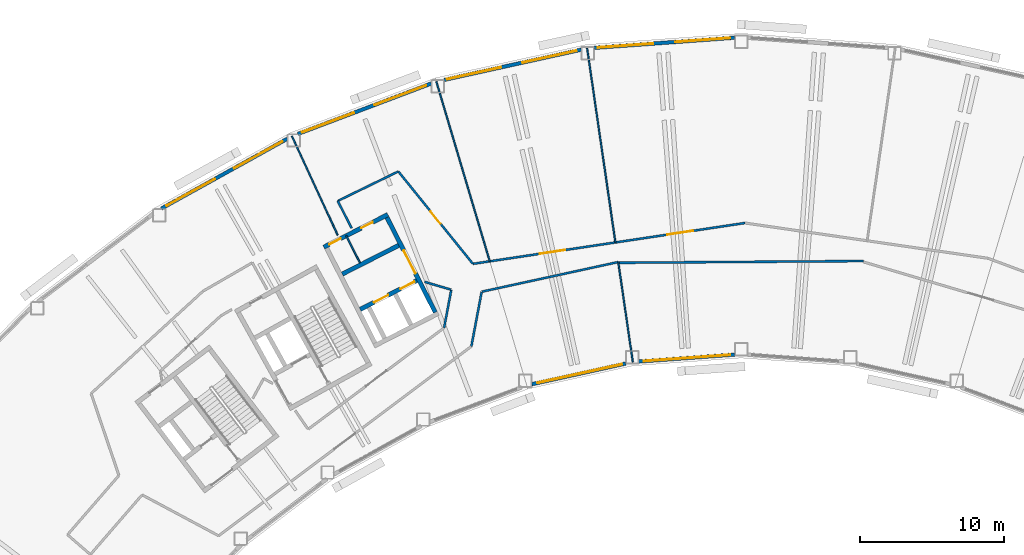
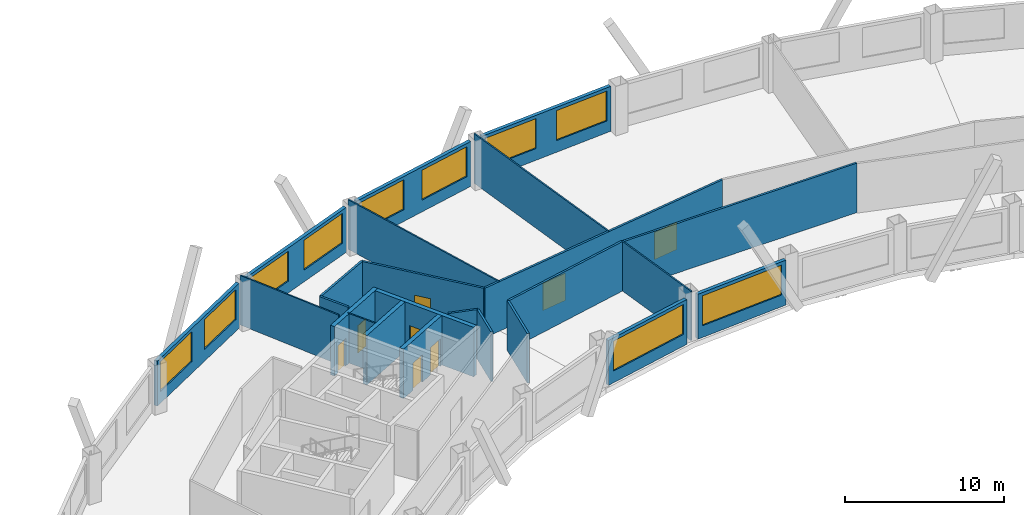
# One storey, part 6 of 12: 24 walls, 10 windows, 8 doors, 18 openings.
"""IFC4 building model written with IfcOpenShell, lengths in metres."""

from ifc_helpers import new_model, si_unit, direction, frame, frame_2d, origin, place, context, subcontext, project, spatial, rectangle, extrude, material, layer, layer_set, type_object, element, fill, save


model = new_model("IFC4")

# Units and contexts
model_context = context("Model", 3, precision=1e-05, world=origin(), true_north=direction((0.0, 1.0)))
body_context = subcontext(model_context, "Body", "Model", "MODEL_VIEW")
ifc_project = project(units=[si_unit("LENGTHUNIT", "METRE"), si_unit("AREAUNIT", "SQUARE_METRE"), si_unit("VOLUMEUNIT", "CUBIC_METRE"), si_unit("PLANEANGLEUNIT", "RADIAN"), si_unit("MASSUNIT", "GRAM", prefix="KILO")], contexts=[model_context])

# Site, building, storey
site_placement = place(None, origin())
site = spatial("IfcSite", under=ifc_project, at=site_placement, CompositionType="ELEMENT")
building_placement = place(site_placement, origin())
building = spatial("IfcBuilding", under=site, at=building_placement, Name="Tuul Gate Civic Tower", CompositionType="ELEMENT")
storey_placement = place(building_placement, frame((0.0, 0.0, 172.10009765625)))
storey = spatial("IfcBuildingStorey", under=building, at=storey_placement, Name="Level 39", CompositionType="ELEMENT", Elevation=172.10009765625)

# Wall, openings, doors
ifc_material_1 = material(Name="Gypsum board partition")
ifc_layer_1 = layer(ifc_material_1, 0.14990234375)
ifc_layer_set_1 = layer_set([ifc_layer_1], Name="Gypsum board partition")
wall_type_1 = type_object("IfcWallType", Name="Corridor wall P150", PredefinedType="PARTITIONING", material=ifc_layer_set_1)
wall_1_placement = place(storey_placement, frame((-17.62841796875, -1.7958984375, 0.0), z_axis=(0.0, 0.0, 1.0), x_axis=(0.988920591433, 0.148445491138, 0.0)))
wall_1 = element("IfcWall", 1, at=wall_1_placement, inside=storey, type_object=wall_type_1, Name="p019", PredefinedType="PARTITIONING", context=body_context, shape_type="SweptSolid", body=[
    extrude(rectangle(XDim=19.094482421875, YDim=0.14990234375, at=frame_2d((9.54736328125, 0.0))), origin(), (0.0, 0.0, 1.0), 3.7998046875),
])
opening_1_placement = place(wall_1_placement, frame((13.644775390625, 0.0, 0.0)))
opening_1 = element("IfcOpeningElement", 2, at=opening_1_placement, cuts=wall_1, Name="Opening N-D04", PredefinedType="OPENING", context=body_context, shape_type="SweptSolid", body=[
    extrude(rectangle(XDim=1.800048828125, YDim=2.10009765625, at=frame_2d((0.89990234375, 1.050048828125))), frame((0.0, 0.0849609375, 0.0), z_axis=(0.0, -1.0, 0.0), x_axis=(1.0, 0.0, 0.0)), (0.0, 0.0, 1.0), 0.169921875),
])
opening_2_placement = place(wall_1_placement, frame((4.685302734375, 0.0, 0.0)))
opening_2 = element("IfcOpeningElement", 3, at=opening_2_placement, cuts=wall_1, Name="Opening N-D05", PredefinedType="OPENING", context=body_context, shape_type="SweptSolid", body=[
    extrude(rectangle(XDim=1.800048828125, YDim=2.10009765625, at=frame_2d((0.89990234375, 1.050048828125))), frame((0.0, 0.0849609375, 0.0), z_axis=(0.0, -1.0, 0.0), x_axis=(1.0, 0.0, 0.0)), (0.0, 0.0, 1.0), 0.169921875),
])
ifc_material_2 = material(Name="Timber door leaf, double", Category="wood")
door_type_1 = type_object("IfcDoorType", Name="Door D18", OperationType="DOUBLE_DOOR_SINGLE_SWING", PredefinedType="DOOR", material=ifc_material_2)
door_1_placement = place(opening_1_placement, origin())
door_1 = element("IfcDoor", 4, at=door_1_placement, inside=storey, type_object=door_type_1, Name="Door N-D04", OperationType="DOUBLE_DOOR_SINGLE_SWING", OverallHeight=2.10009765625, OverallWidth=1.800048828125, PredefinedType="DOOR", context=body_context, shape_type="SweptSolid", body=[
    extrude(rectangle(XDim=1.800048828125, YDim=2.10009765625, at=frame_2d((0.89990234375, 1.050048828125))), frame((0.0, 0.02490234375, 0.0), z_axis=(0.0, -1.0, 0.0), x_axis=(1.0, 0.0, 0.0)), (0.0, 0.0, 1.0), 0.050048828125),
])
fill(opening_1, door_1)
door_2_placement = place(opening_2_placement, origin())
door_2 = element("IfcDoor", 5, at=door_2_placement, inside=storey, type_object=door_type_1, Name="Door N-D05", OperationType="DOUBLE_DOOR_SINGLE_SWING", OverallHeight=2.10009765625, OverallWidth=1.800048828125, PredefinedType="DOOR", context=body_context, shape_type="SweptSolid", body=[
    extrude(rectangle(XDim=1.800048828125, YDim=2.10009765625, at=frame_2d((0.89990234375, 1.050048828125))), frame((0.0, 0.02490234375, 0.0), z_axis=(0.0, -1.0, 0.0), x_axis=(1.0, 0.0, 0.0)), (0.0, 0.0, 1.0), 0.050048828125),
])
fill(opening_2, door_2)

# Wall
wall_2_placement = place(storey_placement, frame((-7.50390625, -1.724365234375, 0.0), z_axis=(0.0, 0.0, 1.0), x_axis=(0.999974995686, 0.007071633673, 0.0)))
element("IfcWall", 6, at=wall_2_placement, inside=storey, type_object=wall_type_1, Name="p022", PredefinedType="PARTITIONING", context=body_context, shape_type="SweptSolid", body=[
    extrude(rectangle(XDim=16.98583984375, YDim=0.14990234375, at=frame_2d((8.492919921875, 0.0))), origin(), (0.0, 0.0, 1.0), 3.7998046875),
])

# Wall, opening, door
wall_3_placement = place(storey_placement, frame((-22.818115234375, 4.618408203125, 0.0), z_axis=(0.0, 0.0, 1.0), x_axis=(0.628081012435, -0.778147956252, 0.0)))
wall_3 = element("IfcWall", 7, at=wall_3_placement, inside=storey, type_object=wall_type_1, Name="p023", PredefinedType="PARTITIONING", context=body_context, shape_type="SweptSolid", body=[
    extrude(rectangle(XDim=8.233642578125, YDim=0.14990234375, at=frame_2d((4.11669921875, 0.0))), origin(), (0.0, 0.0, 1.0), 3.7998046875),
])
opening_3_placement = place(wall_3_placement, frame((3.56689453125, 0.0, 0.0)))
opening_3 = element("IfcOpeningElement", 8, at=opening_3_placement, cuts=wall_3, Name="Opening N-D06", PredefinedType="OPENING", context=body_context, shape_type="SweptSolid", body=[
    extrude(rectangle(XDim=1.10009765625, YDim=2.10009765625, at=frame_2d((0.550048828125, 1.050048828125))), frame((0.0, 0.0849609375, 0.0), z_axis=(0.0, -1.0, 0.0), x_axis=(1.0, 0.0, 0.0)), (0.0, 0.0, 1.0), 0.169921875),
])
ifc_material_3 = material(Name="Timber door leaf", Category="wood")
door_type_2 = type_object("IfcDoorType", Name="Door D11", OperationType="NOTDEFINED", PredefinedType="DOOR", material=ifc_material_3)
door_3_placement = place(opening_3_placement, origin())
door_3 = element("IfcDoor", 9, at=door_3_placement, inside=storey, type_object=door_type_2, Name="Door N-D06", OperationType="SINGLE_SWING_RIGHT", OverallHeight=2.10009765625, OverallWidth=1.10009765625, PredefinedType="DOOR", context=body_context, shape_type="SweptSolid", body=[
    extrude(rectangle(XDim=1.10009765625, YDim=2.10009765625, at=frame_2d((0.550048828125, 1.050048828125))), frame((0.0, 0.02490234375, 0.0), z_axis=(0.0, -1.0, 0.0), x_axis=(1.0, 0.0, 0.0)), (0.0, 0.0, 1.0), 0.050048828125),
])
fill(opening_3, door_3)

# Walls
wall_4_placement = place(storey_placement, frame((-27.026123046875, 2.569580078125, 0.0), z_axis=(0.0, 0.0, 1.0), x_axis=(0.899042531126, 0.437861310494, 0.0)))
element("IfcWall", 10, at=wall_4_placement, inside=storey, type_object=wall_type_1, Name="p024", PredefinedType="PARTITIONING", context=body_context, shape_type="SweptSolid", body=[
    extrude(rectangle(XDim=4.6796875, YDim=0.14990234375, at=frame_2d((2.33984375, 0.0))), origin(), (0.0, 0.0, 1.0), 3.7998046875),
])
wall_5_placement = place(storey_placement, frame((-27.0263671875, 2.56884765625, 0.0), z_axis=(0.0, 0.0, 1.0), x_axis=(0.454024199229, -0.890989352638, 0.0)))
element("IfcWall", 11, at=wall_5_placement, inside=storey, type_object=wall_type_1, Name="p025", PredefinedType="PARTITIONING", context=body_context, shape_type="SweptSolid", body=[
    extrude(rectangle(XDim=2.1181640625, YDim=0.14990234375, at=frame_2d((1.05908203125, 0.0))), origin(), (0.0, 0.0, 1.0), 3.7998046875),
])
wall_6_placement = place(storey_placement, frame((-20.991943359375, -3.051513671875, 0.0), z_axis=(0.0, 0.0, 1.0), x_axis=(0.959507772574, -0.281682151315, 0.0)))
element("IfcWall", 12, at=wall_6_placement, inside=storey, type_object=wall_type_1, Name="p027", PredefinedType="PARTITIONING", context=body_context, shape_type="SweptSolid", body=[
    extrude(rectangle(XDim=1.9111328125, YDim=0.14990234375, at=frame_2d((0.95556640625, 0.0))), origin(), (0.0, 0.0, 1.0), 3.7998046875),
])
wall_7_placement = place(storey_placement, frame((-19.64013671875, -6.236572265625, 0.0), z_axis=(0.0, 0.0, 1.0), x_axis=(0.185784311732, 0.982590550287, 0.0)))
element("IfcWall", 13, at=wall_7_placement, inside=storey, type_object=wall_type_1, Name="p028", PredefinedType="PARTITIONING", context=body_context, shape_type="SweptSolid", body=[
    extrude(rectangle(XDim=2.670166015625, YDim=0.14990234375, at=frame_2d((1.3349609375, 0.0))), origin(), (0.0, 0.0, 1.0), 3.7998046875),
])
wall_8_placement = place(storey_placement, frame((-17.74658203125, -7.526123046875, 0.0), z_axis=(0.0, 0.0, 1.0), x_axis=(0.185717767459, 0.98260312988, 0.0)))
element("IfcWall", 14, at=wall_8_placement, inside=storey, type_object=wall_type_1, Name="p045", PredefinedType="PARTITIONING", context=body_context, shape_type="SweptSolid", body=[
    extrude(rectangle(XDim=3.846435546875, YDim=0.14990234375, at=frame_2d((1.92333984375, 0.0))), origin(), (0.0, 0.0, 1.0), 3.7998046875),
])
wall_9_placement = place(storey_placement, frame((-17.016845703125, -3.730712890625, 0.0), z_axis=(0.0, 0.0, 1.0), x_axis=(0.97717886456, 0.212418141074, 0.0)))
element("IfcWall", 15, at=wall_9_placement, inside=storey, type_object=wall_type_1, Name="p046", PredefinedType="PARTITIONING", context=body_context, shape_type="SweptSolid", body=[
    extrude(rectangle(XDim=9.6923828125, YDim=0.14990234375, at=frame_2d((4.84619140625, 0.0))), origin(), (0.0, 0.0, 1.0), 3.7998046875),
])

# Wall, openings, windows
ifc_material_4 = material(Name="Precast concrete C40/50", Category="concrete")
ifc_layer_2 = layer(ifc_material_4, 0.25)
ifc_layer_set_2 = layer_set([ifc_layer_2], Name="Precast concrete C40/50")
wall_type_2 = type_object("IfcWallType", Name="External wall", PredefinedType="STANDARD", material=ifc_layer_set_2)
wall_10_placement = place(storey_placement, frame((0.5400390625, 13.9091796875, 0.0), z_axis=(0.0, 0.0, 1.0), x_axis=(-0.997386439479, -0.072251576758, 0.0)))
wall_10 = element("IfcWall", 16, at=wall_10_placement, inside=storey, type_object=wall_type_2, Name="External wall", PredefinedType="STANDARD", context=body_context, shape_type="SweptSolid", body=[
    extrude(rectangle(XDim=9.775634765625, YDim=0.25, at=frame_2d((4.8876953125, 0.0))), origin(), (0.0, 0.0, 1.0), 3.449951171875),
])
opening_4_placement = place(wall_10_placement, frame((0.300537109375, 0.0, 0.89990234375)))
opening_4 = element("IfcOpeningElement", 17, at=opening_4_placement, cuts=wall_10, Name="Opening W22", PredefinedType="OPENING", context=body_context, shape_type="SweptSolid", body=[
    extrude(rectangle(XDim=3.85009765625, YDim=2.300048828125, at=frame_2d((1.925048828125, 1.14990234375))), frame((0.0, 0.135009765625, 0.0), z_axis=(0.0, -1.0, 0.0), x_axis=(1.0, 0.0, 0.0)), (0.0, 0.0, 1.0), 0.27001953125),
])
opening_5_placement = place(wall_10_placement, frame((5.672119140625, 0.0, 0.89990234375)))
opening_5 = element("IfcOpeningElement", 18, at=opening_5_placement, cuts=wall_10, Name="Opening W22", PredefinedType="OPENING", context=body_context, shape_type="SweptSolid", body=[
    extrude(rectangle(XDim=3.85009765625, YDim=2.300048828125, at=frame_2d((1.925048828125, 1.14990234375))), frame((0.0, 0.135009765625, 0.0), z_axis=(0.0, -1.0, 0.0), x_axis=(1.0, 0.0, 0.0)), (0.0, 0.0, 1.0), 0.27001953125),
])
ifc_material_5 = material(Name="Glass", Category="glass")
window_type_1 = type_object("IfcWindowType", Name="Window W22 3850 x 2300", PartitioningType="SINGLE_PANEL", PredefinedType="WINDOW", material=ifc_material_5)
window_1_placement = place(opening_4_placement, origin())
window_1 = element("IfcWindow", 19, at=window_1_placement, inside=storey, type_object=window_type_1, Name="Window", OverallHeight=2.300048828125, OverallWidth=3.85009765625, PartitioningType="SINGLE_PANEL", PredefinedType="WINDOW", context=body_context, shape_type="SweptSolid", body=[
    extrude(rectangle(XDim=3.85009765625, YDim=2.300048828125, at=frame_2d((1.925048828125, 1.14990234375))), frame((0.0, 0.030029296875, 0.0), z_axis=(0.0, -1.0, 0.0), x_axis=(1.0, 0.0, 0.0)), (0.0, 0.0, 1.0), 0.06005859375),
])
fill(opening_4, window_1)
window_2_placement = place(opening_5_placement, origin())
window_2 = element("IfcWindow", 20, at=window_2_placement, inside=storey, type_object=window_type_1, Name="Window", OverallHeight=2.300048828125, OverallWidth=3.85009765625, PartitioningType="SINGLE_PANEL", PredefinedType="WINDOW", context=body_context, shape_type="SweptSolid", body=[
    extrude(rectangle(XDim=3.85009765625, YDim=2.300048828125, at=frame_2d((1.925048828125, 1.14990234375))), frame((0.0, 0.030029296875, 0.0), z_axis=(0.0, -1.0, 0.0), x_axis=(1.0, 0.0, 0.0)), (0.0, 0.0, 1.0), 0.06005859375),
])
fill(opening_5, window_2)

wall_11_placement = place(storey_placement, frame((-10.110107421875, 13.078125, 0.0), z_axis=(0.0, 0.0, 1.0), x_axis=(-0.976559525993, -0.215247513789, 0.0)))
wall_11 = element("IfcWall", 21, at=wall_11_placement, inside=storey, type_object=wall_type_2, Name="External wall", PredefinedType="STANDARD", context=body_context, shape_type="SweptSolid", body=[
    extrude(rectangle(XDim=9.755615234375, YDim=0.25, at=frame_2d((4.8779296875, 0.0))), origin(), (0.0, 0.0, 1.0), 3.449951171875),
])
opening_6_placement = place(wall_11_placement, frame((0.338623046875, 0.0, 0.89990234375)))
opening_6 = element("IfcOpeningElement", 22, at=opening_6_placement, cuts=wall_11, Name="Opening W22", PredefinedType="OPENING", context=body_context, shape_type="SweptSolid", body=[
    extrude(rectangle(XDim=3.85009765625, YDim=2.300048828125, at=frame_2d((1.925048828125, 1.14990234375))), frame((0.0, 0.135009765625, 0.0), z_axis=(0.0, -1.0, 0.0), x_axis=(1.0, 0.0, 0.0)), (0.0, 0.0, 1.0), 0.27001953125),
])
opening_7_placement = place(wall_11_placement, frame((5.70947265625, 0.0, 0.89990234375)))
opening_7 = element("IfcOpeningElement", 23, at=opening_7_placement, cuts=wall_11, Name="Opening W22", PredefinedType="OPENING", context=body_context, shape_type="SweptSolid", body=[
    extrude(rectangle(XDim=3.85009765625, YDim=2.300048828125, at=frame_2d((1.925048828125, 1.14990234375))), frame((0.0, 0.135009765625, 0.0), z_axis=(0.0, -1.0, 0.0), x_axis=(1.0, 0.0, 0.0)), (0.0, 0.0, 1.0), 0.27001953125),
])
window_3_placement = place(opening_6_placement, origin())
window_3 = element("IfcWindow", 24, at=window_3_placement, inside=storey, type_object=window_type_1, Name="Window", OverallHeight=2.300048828125, OverallWidth=3.85009765625, PartitioningType="SINGLE_PANEL", PredefinedType="WINDOW", context=body_context, shape_type="SweptSolid", body=[
    extrude(rectangle(XDim=3.85009765625, YDim=2.300048828125, at=frame_2d((1.925048828125, 1.14990234375))), frame((0.0, 0.030029296875, 0.0), z_axis=(0.0, -1.0, 0.0), x_axis=(1.0, 0.0, 0.0)), (0.0, 0.0, 1.0), 0.06005859375),
])
fill(opening_6, window_3)
window_4_placement = place(opening_7_placement, origin())
window_4 = element("IfcWindow", 25, at=window_4_placement, inside=storey, type_object=window_type_1, Name="Window", OverallHeight=2.300048828125, OverallWidth=3.85009765625, PartitioningType="SINGLE_PANEL", PredefinedType="WINDOW", context=body_context, shape_type="SweptSolid", body=[
    extrude(rectangle(XDim=3.85009765625, YDim=2.300048828125, at=frame_2d((1.925048828125, 1.14990234375))), frame((0.0, 0.030029296875, 0.0), z_axis=(0.0, -1.0, 0.0), x_axis=(1.0, 0.0, 0.0)), (0.0, 0.0, 1.0), 0.06005859375),
])
fill(opening_7, window_4)

wall_12_placement = place(storey_placement, frame((-20.537109375, 10.7236328125, 0.0), z_axis=(0.0, 0.0, 1.0), x_axis=(-0.935342915264, -0.353742322694, 0.0)))
wall_12 = element("IfcWall", 26, at=wall_12_placement, inside=storey, type_object=wall_type_2, Name="External wall", PredefinedType="STANDARD", context=body_context, shape_type="SweptSolid", body=[
    extrude(rectangle(XDim=9.904541015625, YDim=0.25, at=frame_2d((4.9521484375, 0.0))), origin(), (0.0, 0.0, 1.0), 3.449951171875),
])
opening_8_placement = place(wall_12_placement, frame((0.369140625, 0.0, 0.89990234375)))
opening_8 = element("IfcOpeningElement", 27, at=opening_8_placement, cuts=wall_12, Name="Opening W22", PredefinedType="OPENING", context=body_context, shape_type="SweptSolid", body=[
    extrude(rectangle(XDim=3.85009765625, YDim=2.300048828125, at=frame_2d((1.925048828125, 1.14990234375))), frame((0.0, 0.135009765625, 0.0), z_axis=(0.0, -1.0, 0.0), x_axis=(1.0, 0.0, 0.0)), (0.0, 0.0, 1.0), 0.27001953125),
])
opening_9_placement = place(wall_12_placement, frame((5.740478515625, 0.0, 0.89990234375)))
opening_9 = element("IfcOpeningElement", 28, at=opening_9_placement, cuts=wall_12, Name="Opening W22", PredefinedType="OPENING", context=body_context, shape_type="SweptSolid", body=[
    extrude(rectangle(XDim=3.85009765625, YDim=2.300048828125, at=frame_2d((1.925048828125, 1.14990234375))), frame((0.0, 0.135009765625, 0.0), z_axis=(0.0, -1.0, 0.0), x_axis=(1.0, 0.0, 0.0)), (0.0, 0.0, 1.0), 0.27001953125),
])
window_5_placement = place(opening_8_placement, origin())
window_5 = element("IfcWindow", 29, at=window_5_placement, inside=storey, type_object=window_type_1, Name="Window", OverallHeight=2.300048828125, OverallWidth=3.85009765625, PartitioningType="SINGLE_PANEL", PredefinedType="WINDOW", context=body_context, shape_type="SweptSolid", body=[
    extrude(rectangle(XDim=3.85009765625, YDim=2.300048828125, at=frame_2d((1.925048828125, 1.14990234375))), frame((0.0, 0.030029296875, 0.0), z_axis=(0.0, -1.0, 0.0), x_axis=(1.0, 0.0, 0.0)), (0.0, 0.0, 1.0), 0.06005859375),
])
fill(opening_8, window_5)
window_6_placement = place(opening_9_placement, origin())
window_6 = element("IfcWindow", 30, at=window_6_placement, inside=storey, type_object=window_type_1, Name="Window", OverallHeight=2.300048828125, OverallWidth=3.85009765625, PartitioningType="SINGLE_PANEL", PredefinedType="WINDOW", context=body_context, shape_type="SweptSolid", body=[
    extrude(rectangle(XDim=3.85009765625, YDim=2.300048828125, at=frame_2d((1.925048828125, 1.14990234375))), frame((0.0, 0.030029296875, 0.0), z_axis=(0.0, -1.0, 0.0), x_axis=(1.0, 0.0, 0.0)), (0.0, 0.0, 1.0), 0.06005859375),
])
fill(opening_9, window_6)

wall_13_placement = place(storey_placement, frame((-30.52392578125, 6.891357421875, 0.0), z_axis=(0.0, 0.0, 1.0), x_axis=(-0.874633566806, -0.484784615903, 0.0)))
wall_13 = element("IfcWall", 31, at=wall_13_placement, inside=storey, type_object=wall_type_2, Name="External wall", PredefinedType="STANDARD", context=body_context, shape_type="SweptSolid", body=[
    extrude(rectangle(XDim=10.001220703125, YDim=0.25, at=frame_2d((5.00048828125, 0.0))), origin(), (0.0, 0.0, 1.0), 3.449951171875),
])
opening_10_placement = place(wall_13_placement, frame((0.39306640625, 0.0, 0.89990234375)))
opening_10 = element("IfcOpeningElement", 32, at=opening_10_placement, cuts=wall_13, Name="Opening W22", PredefinedType="OPENING", context=body_context, shape_type="SweptSolid", body=[
    extrude(rectangle(XDim=3.85009765625, YDim=2.300048828125, at=frame_2d((1.925048828125, 1.14990234375))), frame((0.0, 0.135009765625, 0.0), z_axis=(0.0, -1.0, 0.0), x_axis=(1.0, 0.0, 0.0)), (0.0, 0.0, 1.0), 0.27001953125),
])
opening_11_placement = place(wall_13_placement, frame((5.764404296875, 0.0, 0.89990234375)))
opening_11 = element("IfcOpeningElement", 33, at=opening_11_placement, cuts=wall_13, Name="Opening W22", PredefinedType="OPENING", context=body_context, shape_type="SweptSolid", body=[
    extrude(rectangle(XDim=3.85009765625, YDim=2.300048828125, at=frame_2d((1.925048828125, 1.14990234375))), frame((0.0, 0.135009765625, 0.0), z_axis=(0.0, -1.0, 0.0), x_axis=(1.0, 0.0, 0.0)), (0.0, 0.0, 1.0), 0.27001953125),
])
window_7_placement = place(opening_10_placement, origin())
window_7 = element("IfcWindow", 34, at=window_7_placement, inside=storey, type_object=window_type_1, Name="Window", OverallHeight=2.300048828125, OverallWidth=3.85009765625, PartitioningType="SINGLE_PANEL", PredefinedType="WINDOW", context=body_context, shape_type="SweptSolid", body=[
    extrude(rectangle(XDim=3.85009765625, YDim=2.300048828125, at=frame_2d((1.925048828125, 1.14990234375))), frame((0.0, 0.030029296875, 0.0), z_axis=(0.0, -1.0, 0.0), x_axis=(1.0, 0.0, 0.0)), (0.0, 0.0, 1.0), 0.06005859375),
])
fill(opening_10, window_7)
window_8_placement = place(opening_11_placement, origin())
window_8 = element("IfcWindow", 35, at=window_8_placement, inside=storey, type_object=window_type_1, Name="Window", OverallHeight=2.300048828125, OverallWidth=3.85009765625, PartitioningType="SINGLE_PANEL", PredefinedType="WINDOW", context=body_context, shape_type="SweptSolid", body=[
    extrude(rectangle(XDim=3.85009765625, YDim=2.300048828125, at=frame_2d((1.925048828125, 1.14990234375))), frame((0.0, 0.030029296875, 0.0), z_axis=(0.0, -1.0, 0.0), x_axis=(1.0, 0.0, 0.0)), (0.0, 0.0, 1.0), 0.06005859375),
])
fill(opening_11, window_8)

# Wall, opening, window
wall_14_placement = place(storey_placement, frame((-13.5458984375, -10.15625, 0.0), z_axis=(0.0, 0.0, 1.0), x_axis=(0.976558520258, 0.21525207667, 0.0)))
wall_14 = element("IfcWall", 36, at=wall_14_placement, inside=storey, type_object=wall_type_2, Name="External wall", PredefinedType="STANDARD", context=body_context, shape_type="SweptSolid", body=[
    extrude(rectangle(XDim=6.670166015625, YDim=0.25, at=frame_2d((3.3349609375, 0.0))), origin(), (0.0, 0.0, 1.0), 3.449951171875),
])
opening_12_placement = place(wall_14_placement, frame((0.406982421875, 0.0, 0.89990234375)))
opening_12 = element("IfcOpeningElement", 37, at=opening_12_placement, cuts=wall_14, Name="Opening W26", PredefinedType="OPENING", context=body_context, shape_type="SweptSolid", body=[
    extrude(rectangle(XDim=6.0, YDim=2.300048828125, at=frame_2d((3.0, 1.14990234375))), frame((0.0, 0.135009765625, 0.0), z_axis=(0.0, -1.0, 0.0), x_axis=(1.0, 0.0, 0.0)), (0.0, 0.0, 1.0), 0.27001953125),
])
ifc_material_6 = material(Name="Glass", Category="glass")
window_type_2 = type_object("IfcWindowType", Name="Window W26 6000 x 2300", PartitioningType="SINGLE_PANEL", PredefinedType="WINDOW", material=ifc_material_6)
window_9_placement = place(opening_12_placement, origin())
window_9 = element("IfcWindow", 38, at=window_9_placement, inside=storey, type_object=window_type_2, Name="Window", OverallHeight=2.300048828125, OverallWidth=6.0, PartitioningType="SINGLE_PANEL", PredefinedType="WINDOW", context=body_context, shape_type="SweptSolid", body=[
    extrude(rectangle(XDim=6.0, YDim=2.300048828125, at=frame_2d((3.0, 1.14990234375))), frame((0.0, 0.030029296875, 0.0), z_axis=(0.0, -1.0, 0.0), x_axis=(1.0, 0.0, 0.0)), (0.0, 0.0, 1.0), 0.06005859375),
])
fill(opening_12, window_9)

wall_15_placement = place(storey_placement, frame((-6.132080078125, -8.581787109375, 0.0), z_axis=(0.0, 0.0, 1.0), x_axis=(0.99738574908, 0.072261106633, 0.0)))
wall_15 = element("IfcWall", 39, at=wall_15_placement, inside=storey, type_object=wall_type_2, Name="External wall", PredefinedType="STANDARD", context=body_context, shape_type="SweptSolid", body=[
    extrude(rectangle(XDim=6.689697265625, YDim=0.25, at=frame_2d((3.3447265625, 0.0))), origin(), (0.0, 0.0, 1.0), 3.449951171875),
])
opening_13_placement = place(wall_15_placement, frame((0.3681640625, 0.0, 0.89990234375)))
opening_13 = element("IfcOpeningElement", 40, at=opening_13_placement, cuts=wall_15, Name="Opening W26", PredefinedType="OPENING", context=body_context, shape_type="SweptSolid", body=[
    extrude(rectangle(XDim=6.0, YDim=2.300048828125, at=frame_2d((3.0, 1.14990234375))), frame((0.0, 0.135009765625, 0.0), z_axis=(0.0, -1.0, 0.0), x_axis=(1.0, 0.0, 0.0)), (0.0, 0.0, 1.0), 0.27001953125),
])
window_10_placement = place(opening_13_placement, origin())
window_10 = element("IfcWindow", 41, at=window_10_placement, inside=storey, type_object=window_type_2, Name="Window", OverallHeight=2.300048828125, OverallWidth=6.0, PartitioningType="SINGLE_PANEL", PredefinedType="WINDOW", context=body_context, shape_type="SweptSolid", body=[
    extrude(rectangle(XDim=6.0, YDim=2.300048828125, at=frame_2d((3.0, 1.14990234375))), frame((0.0, 0.030029296875, 0.0), z_axis=(0.0, -1.0, 0.0), x_axis=(1.0, 0.0, 0.0)), (0.0, 0.0, 1.0), 0.06005859375),
])
fill(opening_13, window_10)

# Wall, openings, doors
ifc_material_7 = material(Name="Concrete C40/50", Category="concrete")
ifc_layer_3 = layer(ifc_material_7, 0.300048828125)
ifc_layer_set_3 = layer_set([ifc_layer_3], Name="Concrete C40/50")
wall_type_3 = type_object("IfcWallType", Name="Lift shaft wall C40/50", PredefinedType="STANDARD", material=ifc_layer_set_3)
wall_16_placement = place(storey_placement, frame((-21.542236328125, -2.962890625, 0.0), z_axis=(0.0, 0.0, 1.0), x_axis=(-0.891005618941, -0.453992276384, 0.0)))
wall_16 = element("IfcWall", 42, at=wall_16_placement, inside=storey, type_object=wall_type_3, Name="Shaft wall", PredefinedType="STANDARD", context=body_context, shape_type="SweptSolid", body=[
    extrude(rectangle(XDim=4.39990234375, YDim=0.300048828125, at=frame_2d((2.199951171875, 0.0))), origin(), (0.0, 0.0, 1.0), 3.7998046875),
])
opening_14_placement = place(wall_16_placement, frame((0.175048828125, 0.0, 0.0)))
opening_14 = element("IfcOpeningElement", 43, at=opening_14_placement, cuts=wall_16, Name="Opening LD-M1", PredefinedType="OPENING", context=body_context, shape_type="SweptSolid", body=[
    extrude(rectangle(XDim=1.10009765625, YDim=2.10009765625, at=frame_2d((0.550048828125, 1.050048828125))), frame((0.0, 0.16015625, 0.0), z_axis=(0.0, -1.0, 0.0), x_axis=(1.0, 0.0, 0.0)), (0.0, 0.0, 1.0), 0.320068359375),
])
opening_15_placement = place(wall_16_placement, frame((2.22509765625, 0.0, 0.0)))
opening_15 = element("IfcOpeningElement", 44, at=opening_15_placement, cuts=wall_16, Name="Opening LD-M2", PredefinedType="OPENING", context=body_context, shape_type="SweptSolid", body=[
    extrude(rectangle(XDim=1.10009765625, YDim=2.10009765625, at=frame_2d((0.550048828125, 1.050048828125))), frame((0.0, 0.16015625, 0.0), z_axis=(0.0, -1.0, 0.0), x_axis=(1.0, 0.0, 0.0)), (0.0, 0.0, 1.0), 0.320068359375),
])
ifc_material_8 = material(Name="Stainless steel", Category="steel")
door_type_3 = type_object("IfcDoorType", Name="Landing door", OperationType="DOUBLE_DOOR_SLIDING", PredefinedType="DOOR", material=ifc_material_8)
door_4_placement = place(opening_14_placement, origin())
door_4 = element("IfcDoor", 45, at=door_4_placement, inside=storey, type_object=door_type_3, Name="Mid-rise lift M1 landing door", OperationType="DOUBLE_DOOR_SLIDING", OverallHeight=2.10009765625, OverallWidth=1.10009765625, PredefinedType="DOOR", context=body_context, shape_type="SweptSolid", body=[
    extrude(rectangle(XDim=1.10009765625, YDim=2.10009765625, at=frame_2d((0.550048828125, 1.050048828125))), frame((0.0, 0.02490234375, 0.0), z_axis=(0.0, -1.0, 0.0), x_axis=(1.0, 0.0, 0.0)), (0.0, 0.0, 1.0), 0.050048828125),
])
fill(opening_14, door_4)
door_5_placement = place(opening_15_placement, origin())
door_5 = element("IfcDoor", 46, at=door_5_placement, inside=storey, type_object=door_type_3, Name="Mid-rise lift M2 landing door", OperationType="DOUBLE_DOOR_SLIDING", OverallHeight=2.10009765625, OverallWidth=1.10009765625, PredefinedType="DOOR", context=body_context, shape_type="SweptSolid", body=[
    extrude(rectangle(XDim=1.10009765625, YDim=2.10009765625, at=frame_2d((0.550048828125, 1.050048828125))), frame((0.0, 0.02490234375, 0.0), z_axis=(0.0, -1.0, 0.0), x_axis=(1.0, 0.0, 0.0)), (0.0, 0.0, 1.0), 0.050048828125),
])
fill(opening_15, door_5)

# Wall
wall_17_placement = place(storey_placement, frame((-22.790771484375, -0.5126953125, 0.0), z_axis=(0.0, 0.0, 1.0), x_axis=(-0.891005618941, -0.453992276384, 0.0)))
element("IfcWall", 47, at=wall_17_placement, inside=storey, type_object=wall_type_3, Name="Shaft wall", PredefinedType="STANDARD", context=body_context, shape_type="SweptSolid", body=[
    extrude(rectangle(XDim=4.39990234375, YDim=0.300048828125, at=frame_2d((2.199951171875, 0.0))), origin(), (0.0, 0.0, 1.0), 3.7998046875),
])

# Wall, openings, doors
wall_18_placement = place(storey_placement, frame((-23.544921875, 1.62841796875, 0.0), z_axis=(0.0, 0.0, 1.0), x_axis=(-0.891002976909, -0.453997461601, 0.0)))
wall_18 = element("IfcWall", 48, at=wall_18_placement, inside=storey, type_object=wall_type_3, Name="Shaft wall", PredefinedType="STANDARD", context=body_context, shape_type="SweptSolid", body=[
    extrude(rectangle(XDim=5.0, YDim=0.300048828125, at=frame_2d((2.5, 0.0))), origin(), (0.0, 0.0, 1.0), 3.7998046875),
])
opening_16_placement = place(wall_18_placement, frame((1.175048828125, 0.0, 0.0)))
opening_16 = element("IfcOpeningElement", 49, at=opening_16_placement, cuts=wall_18, Name="Opening N-D19", PredefinedType="OPENING", context=body_context, shape_type="SweptSolid", body=[
    extrude(rectangle(XDim=0.89990234375, YDim=2.10009765625, at=frame_2d((0.449951171875, 1.050048828125))), frame((0.0, 0.16015625, 0.0), z_axis=(0.0, -1.0, 0.0), x_axis=(1.0, 0.0, 0.0)), (0.0, 0.0, 1.0), 0.320068359375),
])
opening_17_placement = place(wall_18_placement, frame((3.675048828125, 0.0, 0.0)))
opening_17 = element("IfcOpeningElement", 50, at=opening_17_placement, cuts=wall_18, Name="Opening N-D20", PredefinedType="OPENING", context=body_context, shape_type="SweptSolid", body=[
    extrude(rectangle(XDim=0.89990234375, YDim=2.10009765625, at=frame_2d((0.449951171875, 1.050048828125))), frame((0.0, 0.16015625, 0.0), z_axis=(0.0, -1.0, 0.0), x_axis=(1.0, 0.0, 0.0)), (0.0, 0.0, 1.0), 0.320068359375),
])
ifc_material_9 = material(Name="Timber door leaf", Category="wood")
door_type_4 = type_object("IfcDoorType", Name="Door D09", OperationType="NOTDEFINED", PredefinedType="DOOR", material=ifc_material_9)
door_6_placement = place(opening_16_placement, origin())
door_6 = element("IfcDoor", 51, at=door_6_placement, inside=storey, type_object=door_type_4, Name="Door N-D19", OperationType="SINGLE_SWING_RIGHT", OverallHeight=2.10009765625, OverallWidth=0.89990234375, PredefinedType="DOOR", context=body_context, shape_type="SweptSolid", body=[
    extrude(rectangle(XDim=0.89990234375, YDim=2.10009765625, at=frame_2d((0.449951171875, 1.050048828125))), frame((0.0, 0.02490234375, 0.0), z_axis=(0.0, -1.0, 0.0), x_axis=(1.0, 0.0, 0.0)), (0.0, 0.0, 1.0), 0.050048828125),
])
fill(opening_16, door_6)
door_7_placement = place(opening_17_placement, origin())
door_7 = element("IfcDoor", 52, at=door_7_placement, inside=storey, type_object=door_type_4, Name="Door N-D20", OperationType="SINGLE_SWING_LEFT", OverallHeight=2.10009765625, OverallWidth=0.89990234375, PredefinedType="DOOR", context=body_context, shape_type="SweptSolid", body=[
    extrude(rectangle(XDim=0.89990234375, YDim=2.10009765625, at=frame_2d((0.449951171875, 1.050048828125))), frame((0.0, 0.02490234375, 0.0), z_axis=(0.0, -1.0, 0.0), x_axis=(1.0, 0.0, 0.0)), (0.0, 0.0, 1.0), 0.050048828125),
])
fill(opening_17, door_7)

# Wall, opening, door
wall_19_placement = place(storey_placement, frame((-20.2509765625, -5.166748046875, 0.0), z_axis=(0.0, 0.0, 1.0), x_axis=(-0.45401029361, 0.89099643843, 0.0)))
wall_19 = element("IfcWall", 53, at=wall_19_placement, inside=storey, type_object=wall_type_3, Name="Shaft wall", PredefinedType="STANDARD", context=body_context, shape_type="SweptSolid", body=[
    extrude(rectangle(XDim=7.39990234375, YDim=0.300048828125, at=frame_2d((3.699951171875, 0.0))), origin(), (0.0, 0.0, 1.0), 3.7998046875),
])
opening_18_placement = place(wall_19_placement, frame((3.02490234375, 0.0, 0.0)))
opening_18 = element("IfcOpeningElement", 54, at=opening_18_placement, cuts=wall_19, Name="Opening LB-W3-LOBBY-1", PredefinedType="OPENING", context=body_context, shape_type="SweptSolid", body=[
    extrude(rectangle(XDim=1.800048828125, YDim=2.10009765625, at=frame_2d((0.89990234375, 1.050048828125))), frame((0.0, 0.16015625, 0.0), z_axis=(0.0, -1.0, 0.0), x_axis=(1.0, 0.0, 0.0)), (0.0, 0.0, 1.0), 0.320068359375),
])
ifc_material_10 = material(Name="Steel", Category="steel")
door_type_5 = type_object("IfcDoorType", Name="Lobby door", OperationType="DOUBLE_DOOR_SINGLE_SWING", PredefinedType="DOOR", material=ifc_material_10)
door_8_placement = place(opening_18_placement, origin())
door_8 = element("IfcDoor", 55, at=door_8_placement, inside=storey, type_object=door_type_5, Name="Lobby door W3-LOBBY", OperationType="DOUBLE_DOOR_SINGLE_SWING", OverallHeight=2.10009765625, OverallWidth=1.800048828125, PredefinedType="DOOR", context=body_context, shape_type="SweptSolid", body=[
    extrude(rectangle(XDim=1.800048828125, YDim=2.10009765625, at=frame_2d((0.89990234375, 1.050048828125))), frame((0.0, 0.02490234375, 0.0), z_axis=(0.0, -1.0, 0.0), x_axis=(1.0, 0.0, 0.0)), (0.0, 0.0, 1.0), 0.050048828125),
])
fill(opening_18, door_8)

# Walls
ifc_material_11 = material(Name="Gypsum board partition")
ifc_layer_4 = layer(ifc_material_11, 0.10009765625)
ifc_layer_set_4 = layer_set([ifc_layer_4], Name="Gypsum board partition")
wall_type_4 = type_object("IfcWallType", Name="Partition P100", PredefinedType="PARTITIONING", material=ifc_layer_set_4)
wall_20_placement = place(storey_placement, frame((-9.707275390625, 13.172119140625, 0.0), z_axis=(0.0, 0.0, 1.0), x_axis=(0.144104772181, -0.989562435946, 0.0)))
element("IfcWall", 56, at=wall_20_placement, inside=storey, type_object=wall_type_4, Name="p017", PredefinedType="PARTITIONING", context=body_context, shape_type="SweptSolid", body=[
    extrude(rectangle(XDim=13.62646484375, YDim=0.10009765625, at=frame_2d((6.813232421875, 0.0))), origin(), (0.0, 0.0, 1.0), 3.7998046875),
])
wall_21_placement = place(storey_placement, frame((-7.545654296875, -1.671875, 0.0), z_axis=(0.0, 0.0, 1.0), x_axis=(0.144138688161, -0.989557496346, 0.0)))
element("IfcWall", 57, at=wall_21_placement, inside=storey, type_object=wall_type_4, Name="p018", PredefinedType="PARTITIONING", context=body_context, shape_type="SweptSolid", body=[
    extrude(rectangle(XDim=7.017333984375, YDim=0.10009765625, at=frame_2d((3.5087890625, 0.0))), origin(), (0.0, 0.0, 1.0), 3.7998046875),
])
wall_22_placement = place(storey_placement, frame((-20.18115234375, 10.863525390625, 0.0), z_axis=(0.0, 0.0, 1.0), x_axis=(0.285208090691, -0.958465620147, 0.0)))
element("IfcWall", 58, at=wall_22_placement, inside=storey, type_object=wall_type_4, Name="p020", PredefinedType="PARTITIONING", context=body_context, shape_type="SweptSolid", body=[
    extrude(rectangle(XDim=13.02587890625, YDim=0.10009765625, at=frame_2d((6.512939453125, 0.0))), origin(), (0.0, 0.0, 1.0), 3.7998046875),
])
wall_23_placement = place(storey_placement, frame((-30.212890625, 7.069580078125, 0.0), z_axis=(0.0, 0.0, 1.0), x_axis=(0.420375009339, -0.907350456838, 0.0)))
element("IfcWall", 59, at=wall_23_placement, inside=storey, type_object=wall_type_4, Name="p021", PredefinedType="PARTITIONING", context=body_context, shape_type="SweptSolid", body=[
    extrude(rectangle(XDim=7.580810546875, YDim=0.10009765625, at=frame_2d((3.79052734375, 0.0))), origin(), (0.0, 0.0, 1.0), 3.7998046875),
])
wall_24_placement = place(storey_placement, frame((-25.4873046875, -1.71826171875, 0.0), z_axis=(0.0, 0.0, 1.0), x_axis=(-0.453990218702, 0.891006667384, 0.0)))
element("IfcWall", 60, at=wall_24_placement, inside=storey, type_object=wall_type_4, Name="bW3-BAND-0", PredefinedType="PARTITIONING", context=body_context, shape_type="SweptSolid", body=[
    extrude(rectangle(XDim=2.10009765625, YDim=0.10009765625, at=frame_2d((1.050048828125, 0.0))), origin(), (0.0, 0.0, 1.0), 3.7998046875),
])

save(model, "model.ifc")
